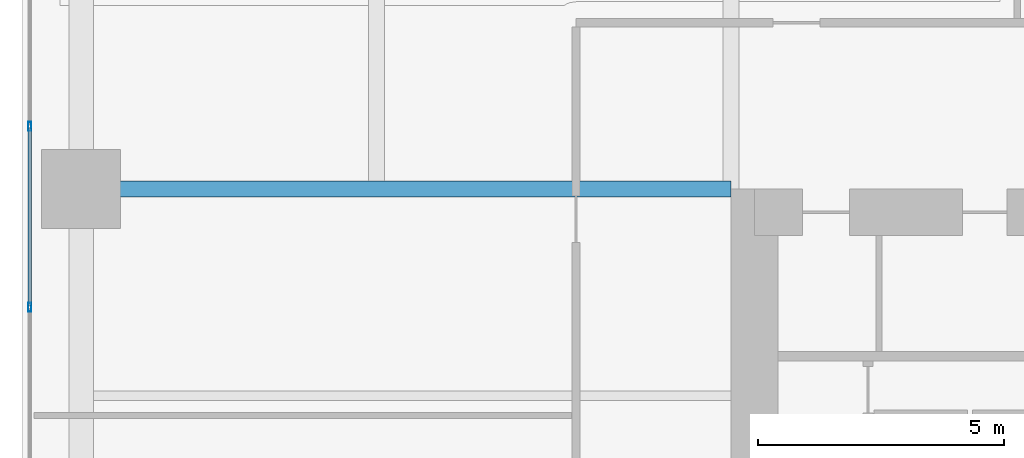
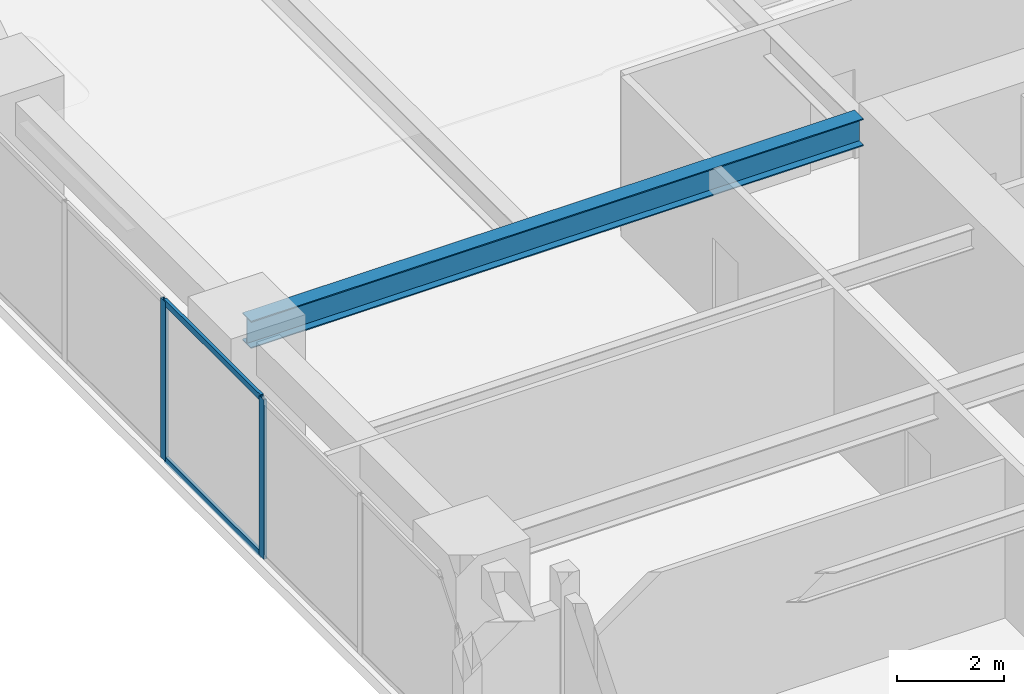
# One storey, part 8 of 24: 4 members, 1 beam, 1 element without a shape of its own.
"""IFC4 building model written with IfcOpenShell, lengths in metres."""

from ifc_helpers import new_model, si_unit, direction, frame, origin, origin_2d, place, context, subcontext, project, spatial, hollow_rectangle, i_section, extrude, material, layer, layer_set, material_profile, profile_set, type_object, element, aggregate, save


model = new_model("IFC4")

# Units and contexts
model_context = context("Model", 3, precision=1e-05, world=origin(), true_north=direction((0.0, 1.0)))
body_context = subcontext(model_context, "Body", "Model", "MODEL_VIEW")
ifc_project = project(units=[si_unit("LENGTHUNIT", "METRE"), si_unit("AREAUNIT", "SQUARE_METRE"), si_unit("VOLUMEUNIT", "CUBIC_METRE"), si_unit("PLANEANGLEUNIT", "RADIAN"), si_unit("MASSUNIT", "GRAM", prefix="KILO")], contexts=[model_context])

# Site, building, storey
site_placement = place(None, origin())
site = spatial("IfcSite", under=ifc_project, at=site_placement, CompositionType="ELEMENT")
building_placement = place(site_placement, origin())
building = spatial("IfcBuilding", under=site, at=building_placement, Name="Kiyonajd Concourse Tower", CompositionType="ELEMENT")
storey_placement = place(building_placement, frame((0.0, 0.0, 85.800048828125)))
storey = spatial("IfcBuildingStorey", under=building, at=storey_placement, Name="L22", CompositionType="ELEMENT", Elevation=85.800048828125)

# Beam
ifc_material_1 = material(Name="Steel ASTM A992 Grade 50", Category="steel")
ifc_material_profile_1 = material_profile(ifc_material_1, i_section(OverallWidth=0.326904296875, OverallDepth=0.6220703125, WebThickness=0.015380859375, FlangeThickness=0.0244140625, at=origin_2d()), Name="W610X195")
ifc_profile_set_1 = profile_set([ifc_material_profile_1], Name="Steel ASTM A992 Grade 50")
beam_type = type_object("IfcBeamType", Name="BM-TWR-610A", PredefinedType="BEAM", material=ifc_profile_set_1)
beam_placement = place(storey_placement, frame((19.199951171875, 44.39990234375, 3.328857421875), z_axis=(1.0, 0.0, 0.0), x_axis=(0.0, 1.0, 0.0)))
element("IfcBeam", 1, at=beam_placement, inside=storey, type_object=beam_type, Name="L22 West Lease Girder", PredefinedType="BEAM", context=body_context, shape_type="SweptSolid", body=[
    extrude(i_section(OverallWidth=0.326904296875, OverallDepth=0.6220703125, WebThickness=0.015380859375, FlangeThickness=0.0244140625, at=origin_2d()), origin(), (0.0, 0.0, 1.0), 13.199951171875),
])

# Curtain wall, members
ifc_material_2 = material(Name="Thermally Broken Anodised Aluminium", Category="aluminium")
ifc_layer = layer(ifc_material_2, 0.179931640625)
ifc_layer_set = layer_set([ifc_layer], Name="Thermally Broken Anodised Aluminium")
curtain_wall_type = type_object("IfcCurtainWallType", Name="CW-SYS-03", PredefinedType="NOTDEFINED", material=ifc_layer_set)
curtain_wall_placement = place(storey_placement, origin())
curtain_wall = element("IfcCurtainWall", 2, at=curtain_wall_placement, inside=storey, type_object=curtain_wall_type, Name="L22 Unitised Curtain Wall CW3", PredefinedType="NOTDEFINED")
ifc_material_profile_2 = material_profile(ifc_material_2, hollow_rectangle(XDim=0.06494140625, YDim=0.179931640625, WallThickness=0.00390625, at=origin_2d()), Name="MULL-65x180")
ifc_profile_set_2 = profile_set([ifc_material_profile_2], Name="Thermally Broken Anodised Aluminium")
member_type_1 = type_object("IfcMemberType", Name="MB-CW-MULL1", PredefinedType="MULLION", material=ifc_profile_set_2)
member_1_placement = place(storey_placement, frame((18.159912109375, 41.996337890625, 0.0), z_axis=(0.0, 0.0, 1.0), x_axis=(-1.0, 0.0, 0.0)))
member_1 = element("IfcMember", 3, at=member_1_placement, type_object=member_type_1, Name="CW3 mullion 3", PredefinedType="MULLION", context=body_context, shape_type="SweptSolid", body=[
    extrude(hollow_rectangle(XDim=0.06494140625, YDim=0.179931640625, WallThickness=0.00390625, at=origin_2d()), origin(), (0.0, 0.0, 1.0), 3.639892578125),
])
member_2_placement = place(storey_placement, frame((18.159912109375, 45.66943359375, 0.0), z_axis=(0.0, 0.0, 1.0), x_axis=(-1.0, 0.0, 0.0)))
member_2 = element("IfcMember", 4, at=member_2_placement, type_object=member_type_1, Name="CW3 mullion 4", PredefinedType="MULLION", context=body_context, shape_type="SweptSolid", body=[
    extrude(hollow_rectangle(XDim=0.06494140625, YDim=0.179931640625, WallThickness=0.00390625, at=origin_2d()), origin(), (0.0, 0.0, 1.0), 3.639892578125),
])
ifc_material_profile_3 = material_profile(ifc_material_2, hollow_rectangle(XDim=0.06494140625, YDim=0.139892578125, WallThickness=0.00390625, at=origin_2d()), Name="TRAN-65x140")
ifc_profile_set_3 = profile_set([ifc_material_profile_3], Name="Thermally Broken Anodised Aluminium")
member_type_2 = type_object("IfcMemberType", Name="MB-CW-TRAN1", PredefinedType="USERDEFINED", material=ifc_profile_set_3)
member_3_placement = place(storey_placement, frame((18.159912109375, 42.02880859375, 0.032470703125), z_axis=(0.0, 1.0, 0.0), x_axis=(-1.0, 0.0, 0.0)))
member_3 = element("IfcMember", 5, at=member_3_placement, type_object=member_type_2, Name="CW3 transom 3.1", ObjectType="TRANSOM", PredefinedType="USERDEFINED", context=body_context, shape_type="SweptSolid", body=[
    extrude(hollow_rectangle(XDim=0.06494140625, YDim=0.139892578125, WallThickness=0.00390625, at=origin_2d()), origin(), (0.0, 0.0, 1.0), 3.608154296875),
])
member_4_placement = place(storey_placement, frame((18.159912109375, 42.02880859375, 3.607421875), z_axis=(0.0, 1.0, 0.0), x_axis=(-1.0, 0.0, 0.0)))
member_4 = element("IfcMember", 6, at=member_4_placement, type_object=member_type_2, Name="CW3 transom 3.2", ObjectType="TRANSOM", PredefinedType="USERDEFINED", context=body_context, shape_type="SweptSolid", body=[
    extrude(hollow_rectangle(XDim=0.06494140625, YDim=0.139892578125, WallThickness=0.00390625, at=origin_2d()), origin(), (0.0, 0.0, 1.0), 3.608154296875),
])
aggregate(curtain_wall, [member_1, member_2, member_3, member_4])

save(model, "model.ifc")
